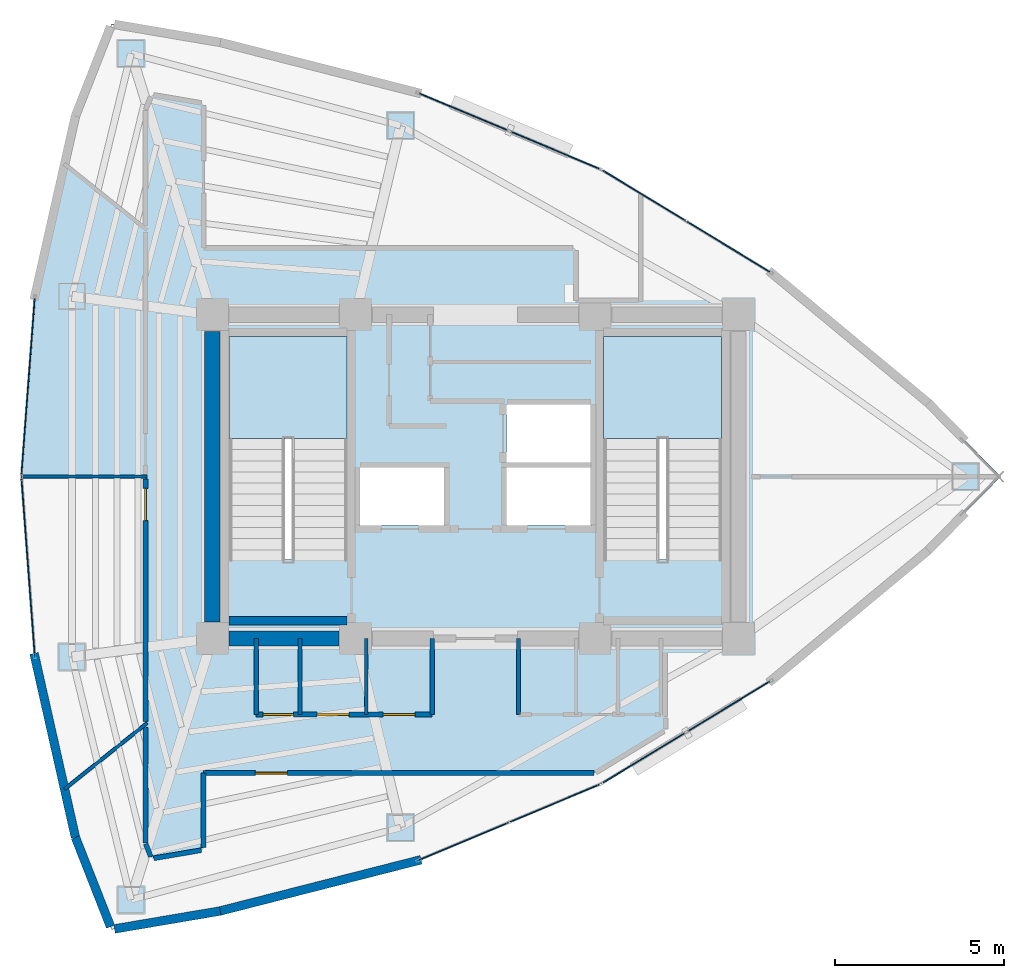
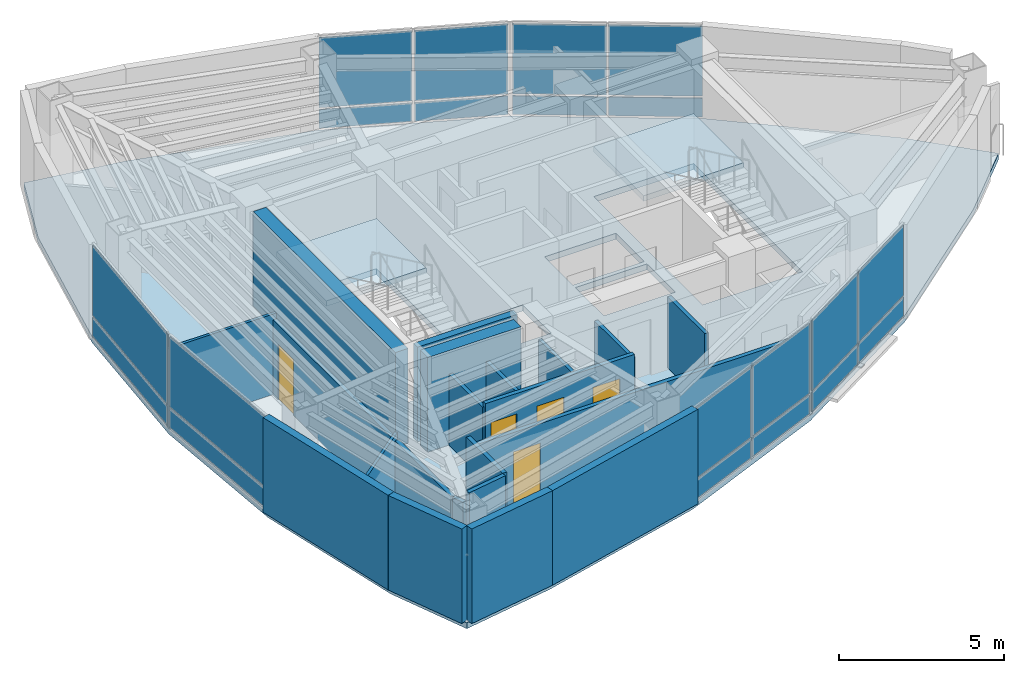
# One storey, part 11 of 15: 21 walls, 20 plates, 5 doors, 3 slabs, 5 openings, 8 elements without a shape of their own.
"""IFC4 building model written with IfcOpenShell, lengths in metres."""

import ifcopenshell
import ifcopenshell.guid

model = None  # the IFC model being written
_history = None  # IfcOwnerHistory: only IFC2X3 demands one
_inside = {}  # id of a spatial element -> (the spatial element, [elements in it])
_under = {}  # id of a project, library or spatial element -> (it, [spatial elements below it])
_declared = {}  # id of a project -> (the project, [libraries it declares])
_typed = {}  # id of a type object -> (the type object, [elements of that type])
_made_of = {}  # id of a material, layer set ... -> (it, [elements and type objects made of it])


def new_model(schema):
    """Start an empty IFC model of exactly this schema.

    Asked for "IFC4X3", IfcOpenShell would pick the latest addendum, in which some entities
    have other attributes; the version numbers below select the first issue.
    IFC2X3 requires an IfcOwnerHistory on every rooted entity: one is made here for all.
    """
    global model, _history
    if schema == "IFC4X3":
        model = ifcopenshell.file(schema_version=(4, 3, 0, 0))
    else:
        model = ifcopenshell.file(schema=schema)
    _inside.clear()
    _under.clear()
    _declared.clear()
    _typed.clear()
    _made_of.clear()
    _history = None
    if model.schema == "IFC2X3":
        org = make("IfcOrganization", Name="unknown")
        user = make(
            "IfcPersonAndOrganization",
            ThePerson=make("IfcPerson", FamilyName="unknown"),
            TheOrganization=org,
        )
        app = make(
            "IfcApplication",
            ApplicationDeveloper=org,
            Version="unknown",
            ApplicationFullName="unknown",
            ApplicationIdentifier="unknown",
        )
        _history = make(
            "IfcOwnerHistory",
            OwningUser=user,
            OwningApplication=app,
            ChangeAction="ADDED",
            CreationDate=0,
        )
    return model


def make(cls, **values):
    """One entity of the class cls with the attributes given. An attribute that is None is left unset."""
    return model.create_entity(
        cls, **{name: value for name, value in values.items() if value is not None}
    )


def rooted(cls, **values):
    """An entity with a GlobalId (a new one), such as an element, a storey or a relation."""
    return make(cls, GlobalId=ifcopenshell.guid.new(), OwnerHistory=_history, **values)


def si_unit(unit_type, name, prefix=None):
    """IfcSIUnit, for example si_unit("LENGTHUNIT", "METRE", prefix="MILLI")."""
    return make("IfcSIUnit", UnitType=unit_type, Prefix=prefix, Name=name)


def assignment(units):
    """IfcUnitAssignment: the units of a project."""
    return None if units is None else make("IfcUnitAssignment", Units=units)


def point(xyz):
    """IfcCartesianPoint."""
    return None if xyz is None else make("IfcCartesianPoint", Coordinates=xyz)


def direction(xyz):
    """IfcDirection."""
    return None if xyz is None else make("IfcDirection", DirectionRatios=xyz)


def frame(location, z_axis=None, x_axis=None):
    """IfcAxis2Placement3D, a coordinate frame: its origin and axes. An axis left out is left unset."""
    return make(
        "IfcAxis2Placement3D",
        Location=point(location),
        Axis=direction(z_axis),
        RefDirection=direction(x_axis),
    )


def frame_2d(location, x_axis=None):
    """IfcAxis2Placement2D, a coordinate frame in the plane: its origin and x axis."""
    return make(
        "IfcAxis2Placement2D", Location=point(location), RefDirection=direction(x_axis)
    )


def origin():
    """The frame at (0, 0, 0) with its axes left unset."""
    return frame((0.0, 0.0, 0.0))


def origin_2d():
    """The frame at (0, 0) in the plane with its x axis left unset."""
    return frame_2d((0.0, 0.0))


def place(relative_to, where):
    """IfcLocalPlacement: puts the frame where relative to a parent placement (None: the world)."""
    return make(
        "IfcLocalPlacement", PlacementRelTo=relative_to, RelativePlacement=where
    )


def context(
    kind, dimensions, precision=None, world=None, true_north=None, identifier=None
):
    """IfcGeometricRepresentationContext, for example the 3D "Model" context."""
    return make(
        "IfcGeometricRepresentationContext",
        ContextIdentifier=identifier,
        ContextType=kind,
        CoordinateSpaceDimension=dimensions,
        Precision=precision,
        WorldCoordinateSystem=world,
        TrueNorth=true_north,
    )


def subcontext(parent, identifier, kind, view, scale=None):
    """IfcGeometricRepresentationSubContext, for example "Body" below "Model"."""
    return make(
        "IfcGeometricRepresentationSubContext",
        ContextIdentifier=identifier,
        ContextType=kind,
        ParentContext=parent,
        TargetScale=scale,
        TargetView=view,
    )


def project(units=None, contexts=None):
    """IfcProject with its units and contexts."""
    return rooted(
        "IfcProject",
        Name="project",
        RepresentationContexts=contexts,
        UnitsInContext=assignment(units),
    )


def spatial(cls, under=None, at=None, **own):
    """A site, building, storey or space (cls), placed at a placement, below another one or the project."""
    s = rooted(cls, ObjectPlacement=at, **own)
    if under is not None:
        _under.setdefault(under.id(), (under, []))[1].append(s)
    return s


def polyline(points):
    """IfcPolyline through the points."""
    return make("IfcPolyline", Points=[point(p) for p in points])


def profile(cls, at=None, kind="AREA", **sizes):
    """A parametric profile (cls). Its sizes go by their IFC names, for example OverallWidth=200.0."""
    return make(cls, ProfileType=kind, Position=at, **sizes)


def rectangle(**sizes):
    """IfcRectangleProfileDef."""
    return profile("IfcRectangleProfileDef", **sizes)


def outline(outer, holes=None, kind="AREA"):
    """IfcArbitraryClosedProfileDef: a profile drawn as a closed curve; with holes, ...WithVoids."""
    if holes is None:
        return make("IfcArbitraryClosedProfileDef", ProfileType=kind, OuterCurve=outer)
    return make(
        "IfcArbitraryProfileDefWithVoids",
        ProfileType=kind,
        OuterCurve=outer,
        InnerCurves=holes,
    )


def extrude(swept, where, along, depth):
    """IfcExtrudedAreaSolid: the profile swept, set in the frame where, extruded along a direction by depth."""
    return make(
        "IfcExtrudedAreaSolid",
        SweptArea=swept,
        Position=where,
        ExtrudedDirection=direction(along),
        Depth=depth,
    )


def shape(context_of_items, identifier, shape_type, items):
    """IfcShapeRepresentation: the items that make up one representation, for example the "Body"."""
    return make(
        "IfcShapeRepresentation",
        ContextOfItems=context_of_items,
        RepresentationIdentifier=identifier,
        RepresentationType=shape_type,
        Items=items,
    )


def material(Name=None, Category=None):
    """IfcMaterial."""
    return make("IfcMaterial", Name=Name, Category=Category)


def layer(
    of_material, thickness, ventilated=None, Name=None, Category=None, Priority=None
):
    """IfcMaterialLayer: one layer of a wall or slab, of a material (None: an air gap)."""
    return make(
        "IfcMaterialLayer",
        Material=of_material,
        LayerThickness=thickness,
        IsVentilated=ventilated,
        Name=Name,
        Category=Category,
        Priority=Priority,
    )


def layer_set(layers, Name=None):
    """IfcMaterialLayerSet."""
    return make("IfcMaterialLayerSet", MaterialLayers=layers, LayerSetName=Name)


def made_of(thing, what):
    """Note that an element or type object is made of a material, layer set ...; save() writes the relation."""
    if what is not None:
        _made_of.setdefault(what.id(), (what, []))[1].append(thing)
    return thing


def type_object(cls, material=None, **own):
    """A type object (cls), such as IfcWallType, which elements share."""
    return made_of(rooted(cls, **own), material)


def element(
    cls,
    number,
    at=None,
    inside=None,
    cuts=None,
    type_object=None,
    material=None,
    context=None,
    identifier="Body",
    shape_type=None,
    held_by="IfcProductDefinitionShape",
    body=None,
    shapes=None,
    **own,
):
    """One element of the class cls, such as IfcWall. Its Tag is "e" and its number.

    at: its placement. inside: the storey or other place that contains it. cuts: it is an
    opening in that element (IfcRelVoidsElement). A single representation is given by context,
    identifier, shape_type and body (its items); several are given by shapes. held_by: the class
    of the entity that holds the representations. save() writes the other relations.
    """
    e = rooted(cls, Tag="e%d" % number, ObjectPlacement=at, **own)
    if body is not None:
        shapes = [shape(context, identifier, shape_type, body)]
    if shapes is not None:
        e.Representation = make(held_by, Representations=shapes)
    if inside is not None:
        _inside.setdefault(inside.id(), (inside, []))[1].append(e)
    if cuts is not None:
        rooted(
            "IfcRelVoidsElement", RelatingBuildingElement=cuts, RelatedOpeningElement=e
        )
    if type_object is not None:
        _typed.setdefault(type_object.id(), (type_object, []))[1].append(e)
    return made_of(e, material)


def fill(opening, filler):
    """IfcRelFillsElement: the door or window that sits in an opening."""
    return rooted(
        "IfcRelFillsElement",
        RelatingOpeningElement=opening,
        RelatedBuildingElement=filler,
    )


def aggregate(whole, parts):
    """IfcRelAggregates: a whole, such as a stair, and the parts it consists of."""
    return rooted("IfcRelAggregates", RelatingObject=whole, RelatedObjects=parts)


def save(model, path):
    """Write the relations noted so far, then the file.

    IfcRelAggregates (storeys below a building ...), IfcRelContainedInSpatialStructure (elements
    in a storey), IfcRelDefinesByType, IfcRelAssociatesMaterial and IfcRelDeclares: one each for
    every whole, place, type object, material and project.
    """
    for whole, parts in _under.values():
        aggregate(whole, parts)
    for where, things in _inside.values():
        rooted(
            "IfcRelContainedInSpatialStructure",
            RelatedElements=things,
            RelatingStructure=where,
        )
    for kind, things in _typed.values():
        rooted("IfcRelDefinesByType", RelatedObjects=things, RelatingType=kind)
    for what, things in _made_of.values():
        rooted("IfcRelAssociatesMaterial", RelatedObjects=things, RelatingMaterial=what)
    for by, libraries in _declared.values():
        rooted("IfcRelDeclares", RelatingContext=by, RelatedDefinitions=libraries)
    model.write(path)


model = new_model("IFC4")

# Units and contexts
model_context = context("Model", 3, precision=1e-05, world=origin(), true_north=direction((0.0, 1.0)))
body_context = subcontext(model_context, "Body", "Model", "MODEL_VIEW")
ifc_project = project(units=[si_unit("LENGTHUNIT", "METRE"), si_unit("AREAUNIT", "SQUARE_METRE"), si_unit("VOLUMEUNIT", "CUBIC_METRE"), si_unit("PLANEANGLEUNIT", "RADIAN"), si_unit("MASSUNIT", "GRAM", prefix="KILO")], contexts=[model_context])

# Site, building, storey
site_placement = place(None, origin())
site = spatial("IfcSite", under=ifc_project, at=site_placement, CompositionType="ELEMENT")
building_placement = place(site_placement, origin())
building = spatial("IfcBuilding", under=site, at=building_placement, Name="Menara Vayukalpa", CompositionType="ELEMENT")
storey_placement = place(building_placement, frame((0.0, 0.0, 258.300048828125)))
storey = spatial("IfcBuildingStorey", under=building, at=storey_placement, Name="L65", CompositionType="ELEMENT", Elevation=258.300048828125)

# Curtain wall, plates
ifc_material_1 = material(Name="Anodised Terracotta Aluminium Alloy 6063-T6", Category="masonry")
ifc_layer_1 = layer(ifc_material_1, 0.1650390625)
ifc_layer_set_1 = layer_set([ifc_layer_1], Name="Anodised Terracotta Aluminium Alloy 6063-T6")
curtain_wall_type = type_object("IfcCurtainWallType", Name="CW-CW6", PredefinedType="USERDEFINED", material=ifc_layer_set_1)
curtain_wall_1_placement = place(storey_placement, origin())
curtain_wall_1 = element("IfcCurtainWall", 1, at=curtain_wall_1_placement, inside=storey, type_object=curtain_wall_type, Name="L65 Observation and Executive Curtain Wall CW6 04", ObjectType="UNITISED", PredefinedType="USERDEFINED")
ifc_material_2 = material(Name="Low-E Double Glazing", Category="glass")
ifc_layer_2 = layer(ifc_material_2, 0.033935546875)
ifc_layer_set_2 = layer_set([ifc_layer_2], Name="Low-E Double Glazing")
plate_type = type_object("IfcPlateType", Name="CWP-CW6", PredefinedType="CURTAIN_PANEL", material=ifc_layer_set_2)
plate_1_placement = place(storey_placement, frame((33.102783203125, 28.814208984375, 0.074951171875), z_axis=(0.0, 0.0, 1.0), x_axis=(-0.854667609532, 0.519175574558, 0.0)))
plate_1 = element("IfcPlate", 2, at=plate_1_placement, type_object=plate_type, Name="CW6 panel 1.1", PredefinedType="CURTAIN_PANEL", context=body_context, shape_type="SweptSolid", body=[
    extrude(rectangle(XDim=2.8486328125, YDim=0.033935546875, at=origin_2d()), origin(), (0.0, 0.0, 1.0), 0.6875),
])
plate_2_placement = place(storey_placement, frame((33.102783203125, 28.814208984375, 0.83740234375), z_axis=(0.0, 0.0, 1.0), x_axis=(-0.854667609532, 0.519175574558, 0.0)))
plate_2 = element("IfcPlate", 3, at=plate_2_placement, type_object=plate_type, Name="CW6 panel 1.2", PredefinedType="CURTAIN_PANEL", context=body_context, shape_type="SweptSolid", body=[
    extrude(rectangle(XDim=2.8486328125, YDim=0.033935546875, at=origin_2d()), origin(), (0.0, 0.0, 1.0), 2.58740234375),
])
plate_3_placement = place(storey_placement, frame((30.608154296875, 30.329345703125, 0.074951171875), z_axis=(0.0, 0.0, 1.0), x_axis=(-0.854667609532, 0.519175574558, 0.0)))
plate_3 = element("IfcPlate", 4, at=plate_3_placement, type_object=plate_type, Name="CW6 panel 2.1", PredefinedType="CURTAIN_PANEL", context=body_context, shape_type="SweptSolid", body=[
    extrude(rectangle(XDim=2.8486328125, YDim=0.033935546875, at=origin_2d()), origin(), (0.0, 0.0, 1.0), 0.6875),
])
plate_4_placement = place(storey_placement, frame((30.608154296875, 30.329345703125, 0.83740234375), z_axis=(0.0, 0.0, 1.0), x_axis=(-0.854667609532, 0.519175574558, 0.0)))
plate_4 = element("IfcPlate", 5, at=plate_4_placement, type_object=plate_type, Name="CW6 panel 2.2", PredefinedType="CURTAIN_PANEL", context=body_context, shape_type="SweptSolid", body=[
    extrude(rectangle(XDim=2.8486328125, YDim=0.033935546875, at=origin_2d()), origin(), (0.0, 0.0, 1.0), 2.58740234375),
])
aggregate(curtain_wall_1, [plate_1, plate_2, plate_3, plate_4])

curtain_wall_2_placement = place(storey_placement, origin())
curtain_wall_2 = element("IfcCurtainWall", 6, at=curtain_wall_2_placement, inside=storey, type_object=curtain_wall_type, Name="L65 Observation and Executive Curtain Wall CW6 05", ObjectType="UNITISED", PredefinedType="USERDEFINED")
plate_5_placement = place(storey_placement, frame((27.952392578125, 31.681884765625, 0.074951171875), z_axis=(0.0, 0.0, 1.0), x_axis=(-0.922540653927, 0.385899911703, 0.0)))
plate_5 = element("IfcPlate", 7, at=plate_5_placement, type_object=plate_type, Name="CW6 panel 1.1", PredefinedType="CURTAIN_PANEL", context=body_context, shape_type="SweptSolid", body=[
    extrude(rectangle(XDim=2.8486328125, YDim=0.033935546875, at=origin_2d()), origin(), (0.0, 0.0, 1.0), 0.6875),
])
plate_6_placement = place(storey_placement, frame((27.952392578125, 31.681884765625, 0.83740234375), z_axis=(0.0, 0.0, 1.0), x_axis=(-0.922540653927, 0.385899911703, 0.0)))
plate_6 = element("IfcPlate", 8, at=plate_6_placement, type_object=plate_type, Name="CW6 panel 1.2", PredefinedType="CURTAIN_PANEL", context=body_context, shape_type="SweptSolid", body=[
    extrude(rectangle(XDim=2.8486328125, YDim=0.033935546875, at=origin_2d()), origin(), (0.0, 0.0, 1.0), 2.58740234375),
])
plate_7_placement = place(storey_placement, frame((25.259765625, 32.808349609375, 0.074951171875), z_axis=(0.0, 0.0, 1.0), x_axis=(-0.922540653927, 0.385899911703, 0.0)))
plate_7 = element("IfcPlate", 9, at=plate_7_placement, type_object=plate_type, Name="CW6 panel 2.1", PredefinedType="CURTAIN_PANEL", context=body_context, shape_type="SweptSolid", body=[
    extrude(rectangle(XDim=2.8486328125, YDim=0.033935546875, at=origin_2d()), origin(), (0.0, 0.0, 1.0), 0.6875),
])
plate_8_placement = place(storey_placement, frame((25.259765625, 32.808349609375, 0.83740234375), z_axis=(0.0, 0.0, 1.0), x_axis=(-0.922540653927, 0.385899911703, 0.0)))
plate_8 = element("IfcPlate", 10, at=plate_8_placement, type_object=plate_type, Name="CW6 panel 2.2", PredefinedType="CURTAIN_PANEL", context=body_context, shape_type="SweptSolid", body=[
    extrude(rectangle(XDim=2.8486328125, YDim=0.033935546875, at=origin_2d()), origin(), (0.0, 0.0, 1.0), 2.58740234375),
])
aggregate(curtain_wall_2, [plate_5, plate_6, plate_7, plate_8])

curtain_wall_3_placement = place(storey_placement, origin())
curtain_wall_3 = element("IfcCurtainWall", 11, at=curtain_wall_3_placement, inside=storey, type_object=curtain_wall_type, Name="L65 Observation and Executive Curtain Wall CW6 10", ObjectType="UNITISED", PredefinedType="USERDEFINED")
plate_9_placement = place(storey_placement, frame((12.33837890625, 24.67333984375, 0.074951171875), z_axis=(0.0, 0.0, 1.0), x_axis=(-0.074789484574, -0.997199344663, 0.0)))
plate_9 = element("IfcPlate", 12, at=plate_9_placement, type_object=plate_type, Name="CW6 panel 1.1", PredefinedType="CURTAIN_PANEL", context=body_context, shape_type="SweptSolid", body=[
    extrude(rectangle(XDim=5.2216796875, YDim=0.033935546875, at=origin_2d()), origin(), (0.0, 0.0, 1.0), 0.6875),
])
plate_10_placement = place(storey_placement, frame((12.33837890625, 24.67333984375, 0.83740234375), z_axis=(0.0, 0.0, 1.0), x_axis=(-0.074789484574, -0.997199344663, 0.0)))
plate_10 = element("IfcPlate", 13, at=plate_10_placement, type_object=plate_type, Name="CW6 panel 1.2", PredefinedType="CURTAIN_PANEL", context=body_context, shape_type="SweptSolid", body=[
    extrude(rectangle(XDim=5.2216796875, YDim=0.033935546875, at=origin_2d()), origin(), (0.0, 0.0, 1.0), 2.58740234375),
])
aggregate(curtain_wall_3, [plate_9, plate_10])

curtain_wall_4_placement = place(storey_placement, origin())
curtain_wall_4 = element("IfcCurtainWall", 14, at=curtain_wall_4_placement, inside=storey, type_object=curtain_wall_type, Name="L65 Observation and Executive Curtain Wall CW6 11", ObjectType="UNITISED", PredefinedType="USERDEFINED")
plate_11_placement = place(storey_placement, frame((12.33837890625, 19.32666015625, 0.074951171875), z_axis=(0.0, 0.0, 1.0), x_axis=(0.074789484574, -0.997199344663, 0.0)))
plate_11 = element("IfcPlate", 15, at=plate_11_placement, type_object=plate_type, Name="CW6 panel 1.1", PredefinedType="CURTAIN_PANEL", context=body_context, shape_type="SweptSolid", body=[
    extrude(rectangle(XDim=5.2216796875, YDim=0.033935546875, at=origin_2d()), origin(), (0.0, 0.0, 1.0), 0.6875),
])
plate_12_placement = place(storey_placement, frame((12.33837890625, 19.32666015625, 0.83740234375), z_axis=(0.0, 0.0, 1.0), x_axis=(0.074789484574, -0.997199344663, 0.0)))
plate_12 = element("IfcPlate", 16, at=plate_12_placement, type_object=plate_type, Name="CW6 panel 1.2", PredefinedType="CURTAIN_PANEL", context=body_context, shape_type="SweptSolid", body=[
    extrude(rectangle(XDim=5.2216796875, YDim=0.033935546875, at=origin_2d()), origin(), (0.0, 0.0, 1.0), 2.58740234375),
])
aggregate(curtain_wall_4, [plate_11, plate_12])

curtain_wall_5_placement = place(storey_placement, origin())
curtain_wall_5 = element("IfcCurtainWall", 17, at=curtain_wall_5_placement, inside=storey, type_object=curtain_wall_type, Name="L65 Observation and Executive Curtain Wall CW6 16", ObjectType="UNITISED", PredefinedType="USERDEFINED")
plate_13_placement = place(storey_placement, frame((25.259765625, 11.191650390625, 0.074951171875), z_axis=(0.0, 0.0, 1.0), x_axis=(0.922540653927, 0.385899911703, 0.0)))
plate_13 = element("IfcPlate", 18, at=plate_13_placement, type_object=plate_type, Name="CW6 panel 1.1", PredefinedType="CURTAIN_PANEL", context=body_context, shape_type="SweptSolid", body=[
    extrude(rectangle(XDim=2.8486328125, YDim=0.033935546875, at=origin_2d()), origin(), (0.0, 0.0, 1.0), 0.6875),
])
plate_14_placement = place(storey_placement, frame((25.259765625, 11.191650390625, 0.83740234375), z_axis=(0.0, 0.0, 1.0), x_axis=(0.922540653927, 0.385899911703, 0.0)))
plate_14 = element("IfcPlate", 19, at=plate_14_placement, type_object=plate_type, Name="CW6 panel 1.2", PredefinedType="CURTAIN_PANEL", context=body_context, shape_type="SweptSolid", body=[
    extrude(rectangle(XDim=2.8486328125, YDim=0.033935546875, at=origin_2d()), origin(), (0.0, 0.0, 1.0), 2.58740234375),
])
plate_15_placement = place(storey_placement, frame((27.952392578125, 12.318115234375, 0.074951171875), z_axis=(0.0, 0.0, 1.0), x_axis=(0.922540653927, 0.385899911703, 0.0)))
plate_15 = element("IfcPlate", 20, at=plate_15_placement, type_object=plate_type, Name="CW6 panel 2.1", PredefinedType="CURTAIN_PANEL", context=body_context, shape_type="SweptSolid", body=[
    extrude(rectangle(XDim=2.8486328125, YDim=0.033935546875, at=origin_2d()), origin(), (0.0, 0.0, 1.0), 0.6875),
])
plate_16_placement = place(storey_placement, frame((27.952392578125, 12.318115234375, 0.83740234375), z_axis=(0.0, 0.0, 1.0), x_axis=(0.922540653927, 0.385899911703, 0.0)))
plate_16 = element("IfcPlate", 21, at=plate_16_placement, type_object=plate_type, Name="CW6 panel 2.2", PredefinedType="CURTAIN_PANEL", context=body_context, shape_type="SweptSolid", body=[
    extrude(rectangle(XDim=2.8486328125, YDim=0.033935546875, at=origin_2d()), origin(), (0.0, 0.0, 1.0), 2.58740234375),
])
aggregate(curtain_wall_5, [plate_13, plate_14, plate_15, plate_16])

curtain_wall_6_placement = place(storey_placement, origin())
curtain_wall_6 = element("IfcCurtainWall", 22, at=curtain_wall_6_placement, inside=storey, type_object=curtain_wall_type, Name="L65 Observation and Executive Curtain Wall CW6 17", ObjectType="UNITISED", PredefinedType="USERDEFINED")
plate_17_placement = place(storey_placement, frame((30.608154296875, 13.670654296875, 0.074951171875), z_axis=(0.0, 0.0, 1.0), x_axis=(0.854667609532, 0.519175574558, 0.0)))
plate_17 = element("IfcPlate", 23, at=plate_17_placement, type_object=plate_type, Name="CW6 panel 1.1", PredefinedType="CURTAIN_PANEL", context=body_context, shape_type="SweptSolid", body=[
    extrude(rectangle(XDim=2.8486328125, YDim=0.033935546875, at=origin_2d()), origin(), (0.0, 0.0, 1.0), 0.6875),
])
plate_18_placement = place(storey_placement, frame((30.608154296875, 13.670654296875, 0.83740234375), z_axis=(0.0, 0.0, 1.0), x_axis=(0.854667609532, 0.519175574558, 0.0)))
plate_18 = element("IfcPlate", 24, at=plate_18_placement, type_object=plate_type, Name="CW6 panel 1.2", PredefinedType="CURTAIN_PANEL", context=body_context, shape_type="SweptSolid", body=[
    extrude(rectangle(XDim=2.8486328125, YDim=0.033935546875, at=origin_2d()), origin(), (0.0, 0.0, 1.0), 2.58740234375),
])
plate_19_placement = place(storey_placement, frame((33.102783203125, 15.185791015625, 0.074951171875), z_axis=(0.0, 0.0, 1.0), x_axis=(0.854667609532, 0.519175574558, 0.0)))
plate_19 = element("IfcPlate", 25, at=plate_19_placement, type_object=plate_type, Name="CW6 panel 2.1", PredefinedType="CURTAIN_PANEL", context=body_context, shape_type="SweptSolid", body=[
    extrude(rectangle(XDim=2.8486328125, YDim=0.033935546875, at=origin_2d()), origin(), (0.0, 0.0, 1.0), 0.6875),
])
plate_20_placement = place(storey_placement, frame((33.102783203125, 15.185791015625, 0.83740234375), z_axis=(0.0, 0.0, 1.0), x_axis=(0.854667609532, 0.519175574558, 0.0)))
plate_20 = element("IfcPlate", 26, at=plate_20_placement, type_object=plate_type, Name="CW6 panel 2.2", PredefinedType="CURTAIN_PANEL", context=body_context, shape_type="SweptSolid", body=[
    extrude(rectangle(XDim=2.8486328125, YDim=0.033935546875, at=origin_2d()), origin(), (0.0, 0.0, 1.0), 2.58740234375),
])
aggregate(curtain_wall_6, [plate_17, plate_18, plate_19, plate_20])

# Slab
ifc_material_3 = material(Name="Concrete C40/50", Category="concrete")
ifc_layer_3 = layer(ifc_material_3, 0.219970703125)
ifc_layer_set_3 = layer_set([ifc_layer_3], Name="Concrete C40/50")
slab_type_1 = type_object("IfcSlabType", Name="SLB-FL220", PredefinedType="FLOOR", material=ifc_layer_set_3)
slab_1_placement = place(storey_placement, frame((0.0, 0.0, -0.219970703125)))
element("IfcSlab", 27, at=slab_1_placement, inside=storey, type_object=slab_type_1, Name="L65 Structural Floor Slab", PredefinedType="FLOOR", context=body_context, shape_type="SweptSolid", body=[
    extrude(outline(polyline([(39.02783203125, 19.816162109375), (41.171875, 22.0), (39.02783203125, 24.183837890625), (34.3798828125, 28.038330078125), (29.3310546875, 31.105224609375), (23.881103515625, 33.385009765625), (18.0302734375, 34.877197265625), (14.814208984375, 35.423095703125), (13.741943359375, 32.693359375), (12.5390625, 27.3466796875), (12.137939453125, 22.0), (12.5390625, 16.6533203125), (13.741943359375, 11.306640625), (14.814208984375, 8.576904296875), (18.0302734375, 9.122802734375), (23.881103515625, 10.614990234375), (29.3310546875, 12.894775390625), (34.3798828125, 15.961669921875), (39.02783203125, 19.816162109375)]), holes=[polyline([(21.800048828125, 19.550048828125), (21.800048828125, 26.14990234375), (18.300048828125, 26.14990234375), (18.300048828125, 19.550048828125), (21.800048828125, 19.550048828125)]), polyline([(32.89990234375, 19.550048828125), (32.89990234375, 26.14990234375), (29.39990234375, 26.14990234375), (29.39990234375, 19.550048828125), (32.89990234375, 19.550048828125)]), polyline([(22.179931640625, 20.550048828125), (24.679931640625, 20.550048828125), (24.679931640625, 22.27001953125), (22.179931640625, 22.27001953125), (22.179931640625, 20.550048828125)]), polyline([(26.52001953125, 20.550048828125), (29.02001953125, 20.550048828125), (29.02001953125, 22.27001953125), (26.52001953125, 22.27001953125), (26.52001953125, 20.550048828125)]), polyline([(26.52001953125, 22.419921875), (29.02001953125, 22.419921875), (29.02001953125, 24.139892578125), (26.52001953125, 24.139892578125), (26.52001953125, 22.419921875)])]), origin(), (0.0, 0.0, 1.0), 0.219970703125),
])

# Stair, slab
ifc_material_4 = material(Name="Precast Concrete C40/50", Category="concrete")
stair_type = type_object("IfcStairType", Name="STR-T04", PredefinedType="DOUBLE_RETURN_STAIR", material=ifc_material_4)
stair_1_placement = place(storey_placement, origin())
stair_1 = element("IfcStair", 28, at=stair_1_placement, inside=storey, type_object=stair_type, Name="L65 Core Exit Stair ST-1", PredefinedType="DOUBLE_RETURN_STAIR")
ifc_material_5 = material(Name="Precast Concrete C40/50", Category="concrete")
ifc_layer_4 = layer(ifc_material_5, 0.199951171875)
ifc_layer_set_4 = layer_set([ifc_layer_4], Name="Precast Concrete C40/50")
slab_type_2 = type_object("IfcSlabType", Name="SLB-LND200", PredefinedType="LANDING", material=ifc_layer_set_4)
slab_2_placement = place(storey_placement, frame((0.0, 0.0, 1.659912109375)))
slab_2 = element("IfcSlab", 29, at=slab_2_placement, type_object=slab_type_2, Name="ST-1 landing 1", PredefinedType="LANDING", context=body_context, shape_type="SweptSolid", body=[
    extrude(outline(polyline([(21.800048828125, 23.1298828125), (21.800048828125, 26.14990234375), (18.300048828125, 26.14990234375), (18.300048828125, 23.1298828125), (21.800048828125, 23.1298828125)])), origin(), (0.0, 0.0, 1.0), 0.199951171875),
])
aggregate(stair_1, [slab_2])

stair_2_placement = place(storey_placement, origin())
stair_2 = element("IfcStair", 30, at=stair_2_placement, inside=storey, type_object=stair_type, Name="L65 Core Exit Stair ST-2", PredefinedType="DOUBLE_RETURN_STAIR")
slab_3_placement = place(storey_placement, frame((0.0, 0.0, 1.659912109375)))
slab_3 = element("IfcSlab", 31, at=slab_3_placement, type_object=slab_type_2, Name="ST-2 landing 1", PredefinedType="LANDING", context=body_context, shape_type="SweptSolid", body=[
    extrude(outline(polyline([(32.89990234375, 23.1298828125), (32.89990234375, 26.14990234375), (29.39990234375, 26.14990234375), (29.39990234375, 23.1298828125), (32.89990234375, 23.1298828125)])), origin(), (0.0, 0.0, 1.0), 0.199951171875),
])
aggregate(stair_2, [slab_3])

# Walls
ifc_material_6 = material(Name="Concrete C50/60", Category="concrete")
ifc_layer_5 = layer(ifc_material_6, 0.449951171875)
ifc_layer_set_5 = layer_set([ifc_layer_5], Name="Concrete C50/60")
wall_type_1 = type_object("IfcWallType", Name="WAL-CW450", PredefinedType="SHEAR", material=ifc_layer_set_5)
wall_1_placement = place(storey_placement, frame((18.294921875, 17.199951171875, 0.0), z_axis=(0.0, 0.0, 1.0), x_axis=(1.0, 0.0, 0.0)))
element("IfcWall", 32, at=wall_1_placement, inside=storey, type_object=wall_type_1, Name="L65 Buttressed Core Shear Wall CWS1", PredefinedType="SHEAR", context=body_context, shape_type="SweptSolid", body=[
    extrude(rectangle(XDim=3.260009765625, YDim=0.449951171875, at=frame_2d((1.6298828125, 0.0))), origin(), (0.0, 0.0, 1.0), 3.5),
])
wall_2_placement = place(storey_placement, frame((17.800048828125, 17.695068359375, 0.0), z_axis=(0.0, 0.0, 1.0), x_axis=(0.0, 1.0, 0.0)))
element("IfcWall", 33, at=wall_2_placement, inside=storey, type_object=wall_type_1, Name="L65 Buttressed Core Shear Wall CWW1", PredefinedType="SHEAR", context=body_context, shape_type="SweptSolid", body=[
    extrude(rectangle(XDim=8.60986328125, YDim=0.449951171875, at=frame_2d((4.304931640625, 0.0))), origin(), (0.0, 0.0, 1.0), 3.5),
])
ifc_material_7 = material(Name="Insulated Precast Concrete C40/50", Category="concrete")
ifc_layer_6 = layer(ifc_material_7, 0.260009765625)
ifc_layer_set_6 = layer_set([ifc_layer_6], Name="Insulated Precast Concrete C40/50")
wall_type_2 = type_object("IfcWallType", Name="WAL-EXT260", PredefinedType="PARTITIONING", material=ifc_layer_set_6)
wall_3_placement = place(storey_placement, frame((13.741943359375, 11.306640625, 0.0), z_axis=(0.0, 0.0, 1.0), x_axis=(-0.219500763731, 0.97561232809, 0.0)))
element("IfcWall", 34, at=wall_3_placement, inside=storey, type_object=wall_type_2, Name="L65 Perimeter Terracotta Pier Wall 12", PredefinedType="PARTITIONING", context=body_context, shape_type="SweptSolid", body=[
    extrude(rectangle(XDim=5.590087890625, YDim=0.260009765625, at=frame_2d((2.794921875, 0.0))), origin(), (0.0, 0.0, 1.0), 3.5),
])
wall_4_placement = place(storey_placement, frame((14.7822265625, 8.658203125, 0.0), z_axis=(0.0, 0.0, 1.0), x_axis=(-0.36559927932, 0.930772349697, 0.0)))
element("IfcWall", 35, at=wall_4_placement, inside=storey, type_object=wall_type_2, Name="L65 Perimeter Terracotta Pier Wall 13", PredefinedType="PARTITIONING", context=body_context, shape_type="SweptSolid", body=[
    extrude(rectangle(XDim=2.845458984375, YDim=0.260009765625, at=frame_2d((1.4228515625, 0.0))), origin(), (0.0, 0.0, 1.0), 3.5),
])
wall_5_placement = place(storey_placement, frame((18.0361328125, 9.123779296875, 0.0), z_axis=(0.0, 0.0, 1.0), x_axis=(-0.985889432766, -0.167397808709, 0.0)))
element("IfcWall", 36, at=wall_5_placement, inside=storey, type_object=wall_type_2, Name="L65 Perimeter Terracotta Pier Wall 14", PredefinedType="PARTITIONING", context=body_context, shape_type="SweptSolid", body=[
    extrude(rectangle(XDim=3.180908203125, YDim=0.260009765625, at=frame_2d((1.59033203125, 0.0))), origin(), (0.0, 0.0, 1.0), 3.5),
])
wall_6_placement = place(storey_placement, frame((23.98779296875, 10.64208984375, 0.0), z_axis=(0.0, 0.0, 1.0), x_axis=(-0.968988278672, -0.247106689096, 0.0)))
element("IfcWall", 37, at=wall_6_placement, inside=storey, type_object=wall_type_2, Name="L65 Perimeter Terracotta Pier Wall 15", PredefinedType="PARTITIONING", context=body_context, shape_type="SweptSolid", body=[
    extrude(rectangle(XDim=6.154296875, YDim=0.260009765625, at=frame_2d((3.0771484375, 0.0))), origin(), (0.0, 0.0, 1.0), 3.5),
])
ifc_material_8 = material(Name="Glazed Demountable Office Partition", Category="glass")
ifc_layer_7 = layer(ifc_material_8, 0.094970703125)
ifc_layer_set_7 = layer_set([ifc_layer_7], Name="Glazed Demountable Office Partition")
wall_type_3 = type_object("IfcWallType", Name="WAL-PT100", PredefinedType="PARTITIONING", material=ifc_layer_set_7)
wall_7_placement = place(storey_placement, frame((12.1279296875, 22.0, 0.0), z_axis=(0.0, 0.0, 1.0), x_axis=(1.0, 0.0, 0.0)))
element("IfcWall", 38, at=wall_7_placement, inside=storey, type_object=wall_type_3, Name="L65 Interior Partition IW-L65-RDIV02", PredefinedType="PARTITIONING", context=body_context, shape_type="SweptSolid", body=[
    extrude(rectangle(XDim=3.7421875, YDim=0.094970703125, at=frame_2d((1.87109375, 0.0))), origin(), (0.0, 0.0, 1.0), 2.97998046875),
])
wall_8_placement = place(storey_placement, frame((13.41162109375, 12.729248046875, 0.0), z_axis=(0.0, 0.0, 1.0), x_axis=(0.780868809443, 0.624695047554, 0.0)))
element("IfcWall", 39, at=wall_8_placement, inside=storey, type_object=wall_type_3, Name="L65 Interior Partition IW-L65-RDIV04", PredefinedType="PARTITIONING", context=body_context, shape_type="SweptSolid", body=[
    extrude(rectangle(XDim=3.1484375, YDim=0.094970703125, at=frame_2d((1.57421875, 0.0))), origin(), (0.0, 0.0, 1.0), 2.97998046875),
])
ifc_material_9 = material(Name="Acoustic Mineral Stud Partition", Category="masonry")
ifc_layer_8 = layer(ifc_material_9, 0.110107421875)
ifc_layer_set_8 = layer_set([ifc_layer_8], Name="Acoustic Mineral Stud Partition")
wall_type_4 = type_object("IfcWallType", Name="WAL-PT110", PredefinedType="PARTITIONING", material=ifc_layer_set_8)
wall_9_placement = place(storey_placement, frame((22.360107421875, 14.949951171875, 0.0), z_axis=(0.0, 0.0, 1.0), x_axis=(0.0, 1.0, 0.0)))
element("IfcWall", 40, at=wall_9_placement, inside=storey, type_object=wall_type_4, Name="L65 Interior Partition IW-L65-SVCD-03", PredefinedType="PARTITIONING", context=body_context, shape_type="SweptSolid", body=[
    extrude(rectangle(XDim=2.25, YDim=0.110107421875, at=frame_2d((1.125, 0.0))), origin(), (0.0, 0.0, 1.0), 2.6298828125),
])
ifc_material_10 = material(Name="Gypsum Drywall Steel Stud Assembly", Category="steel")
ifc_layer_9 = layer(ifc_material_10, 0.125)
ifc_layer_set_9 = layer_set([ifc_layer_9], Name="Gypsum Drywall Steel Stud Assembly")
wall_type_5 = type_object("IfcWallType", Name="WAL-PT125", PredefinedType="PARTITIONING", material=ifc_layer_set_9)
for number, where, z_axis, x_axis, name in (
    (41, (19.10009765625, 14.949951171875, 0.0), (0.0, 0.0, 1.0), (0.0, 1.0, 0.0), "L65 Interior Partition IW-L65-SVCD-01"),
    (42, (20.39990234375, 14.949951171875, 0.0), (0.0, 0.0, 1.0), (0.0, 1.0, 0.0), "L65 Interior Partition IW-L65-SVCD-02"),
    (43, (24.320068359375, 14.949951171875, 0.0), (0.0, 0.0, 1.0), (0.0, 1.0, 0.0), "L65 Interior Partition IW-L65-SVCD-04"),
    (44, (26.8798828125, 14.949951171875, 0.0), (0.0, 0.0, 1.0), (0.0, 1.0, 0.0), "L65 Interior Partition IW-L65-SVCD-05"),
):
    element("IfcWall", number, at=place(storey_placement, frame(where, z_axis=z_axis, x_axis=x_axis)), inside=storey, type_object=wall_type_5, Name=name, PredefinedType="PARTITIONING", context=body_context, shape_type="SweptSolid", body=[
        extrude(rectangle(XDim=2.25, YDim=0.125, at=frame_2d((1.125, 0.0))), origin(), (0.0, 0.0, 1.0), 2.6298828125),
    ])

# Wall, openings, doors
ifc_material_11 = material(Name="Gypsum Drywall Acoustic Stud Assembly", Category="masonry")
ifc_layer_10 = layer(ifc_material_11, 0.14501953125)
ifc_layer_set_10 = layer_set([ifc_layer_10], Name="Gypsum Drywall Acoustic Stud Assembly")
wall_type_6 = type_object("IfcWallType", Name="WAL-PT150", PredefinedType="PARTITIONING", material=ifc_layer_set_10)
wall_10_placement = place(storey_placement, frame((19.10009765625, 14.949951171875, 0.0), z_axis=(0.0, 0.0, 1.0), x_axis=(1.0, 0.0, 0.0)))
wall_10 = element("IfcWall", 45, at=wall_10_placement, inside=storey, type_object=wall_type_6, Name="L65 Interior Partition IW-L65-SVCS-W", PredefinedType="PARTITIONING", context=body_context, shape_type="SweptSolid", body=[
    extrude(rectangle(XDim=5.219970703125, YDim=0.14501953125, at=frame_2d((2.60986328125, 0.0))), origin(), (0.0, 0.0, 1.0), 2.780029296875),
])
opening_1_placement = place(wall_10_placement, frame((0.199951171875, 0.0, 0.0)))
opening_1 = element("IfcOpeningElement", 46, at=opening_1_placement, cuts=wall_10, Name="Opening ID7", PredefinedType="OPENING", context=body_context, shape_type="SweptSolid", body=[
    extrude(rectangle(XDim=0.89990234375, YDim=2.02001953125, at=frame_2d((0.449951171875, 1.010009765625))), frame((0.0, 0.08251953125, 0.0), z_axis=(0.0, -1.0, 0.0), x_axis=(1.0, 0.0, 0.0)), (0.0, 0.0, 1.0), 0.1650390625),
])
opening_2_placement = place(wall_10_placement, frame((1.804931640625, 0.0, 0.0)))
opening_2 = element("IfcOpeningElement", 47, at=opening_2_placement, cuts=wall_10, Name="Opening ID5", PredefinedType="OPENING", context=body_context, shape_type="SweptSolid", body=[
    extrude(rectangle(XDim=0.949951171875, YDim=2.06005859375, at=frame_2d((0.47509765625, 1.030029296875))), frame((0.0, 0.08251953125, 0.0), z_axis=(0.0, -1.0, 0.0), x_axis=(1.0, 0.0, 0.0)), (0.0, 0.0, 1.0), 0.1650390625),
])
opening_3_placement = place(wall_10_placement, frame((3.764892578125, 0.0, 0.0)))
opening_3 = element("IfcOpeningElement", 48, at=opening_3_placement, cuts=wall_10, Name="Opening ID5", PredefinedType="OPENING", context=body_context, shape_type="SweptSolid", body=[
    extrude(rectangle(XDim=0.949951171875, YDim=2.06005859375, at=frame_2d((0.47509765625, 1.030029296875))), frame((0.0, 0.08251953125, 0.0), z_axis=(0.0, -1.0, 0.0), x_axis=(1.0, 0.0, 0.0)), (0.0, 0.0, 1.0), 0.1650390625),
])
ifc_material_12 = material(Name="Acoustic Hardwood Veneer Timber Door", Category="wood")
door_type_1 = type_object("IfcDoorType", Name="DR-INT95", OperationType="NOTDEFINED", PredefinedType="DOOR", material=ifc_material_12)
door_1_placement = place(opening_2_placement, origin())
door_1 = element("IfcDoor", 49, at=door_1_placement, inside=storey, type_object=door_type_1, Name="L65 Interior Door DR-L65-AWC", OperationType="SINGLE_SWING_RIGHT", OverallHeight=2.06005859375, OverallWidth=0.949951171875, PredefinedType="DOOR", context=body_context, shape_type="SweptSolid", body=[
    extrude(rectangle(XDim=0.949951171875, YDim=2.06005859375, at=frame_2d((0.47509765625, 1.030029296875))), frame((0.0, 0.02490234375, 0.0), z_axis=(0.0, -1.0, 0.0), x_axis=(1.0, 0.0, 0.0)), (0.0, 0.0, 1.0), 0.050048828125),
])
fill(opening_2, door_1)
door_2_placement = place(opening_3_placement, origin())
door_2 = element("IfcDoor", 50, at=door_2_placement, inside=storey, type_object=door_type_1, Name="L65 Interior Door DR-L65-SWC", OperationType="SINGLE_SWING_LEFT", OverallHeight=2.06005859375, OverallWidth=0.949951171875, PredefinedType="DOOR", context=body_context, shape_type="SweptSolid", body=[
    extrude(rectangle(XDim=0.949951171875, YDim=2.06005859375, at=frame_2d((0.47509765625, 1.030029296875))), frame((0.0, 0.02490234375, 0.0), z_axis=(0.0, -1.0, 0.0), x_axis=(1.0, 0.0, 0.0)), (0.0, 0.0, 1.0), 0.050048828125),
])
fill(opening_3, door_2)
ifc_material_13 = material(Name="Powder-Coated Steel Riser Access Door", Category="steel")
door_type_2 = type_object("IfcDoorType", Name="DR-RISER", OperationType="NOTDEFINED", PredefinedType="DOOR", material=ifc_material_13)
door_3_placement = place(opening_1_placement, origin())
door_3 = element("IfcDoor", 51, at=door_3_placement, inside=storey, type_object=door_type_2, Name="L65 Interior Door DR-L65-ELR", OperationType="SINGLE_SWING_LEFT", OverallHeight=2.02001953125, OverallWidth=0.89990234375, PredefinedType="DOOR", context=body_context, shape_type="SweptSolid", body=[
    extrude(rectangle(XDim=0.89990234375, YDim=2.02001953125, at=frame_2d((0.449951171875, 1.010009765625))), frame((0.0, 0.02490234375, 0.0), z_axis=(0.0, -1.0, 0.0), x_axis=(1.0, 0.0, 0.0)), (0.0, 0.0, 1.0), 0.050048828125),
])
fill(opening_1, door_3)

# Wall, opening, door
wall_11_placement = place(storey_placement, frame((15.820068359375, 21.929931640625, 0.0), z_axis=(0.0, 0.0, 1.0), x_axis=(0.0, -1.0, 0.0)))
wall_11 = element("IfcWall", 52, at=wall_11_placement, inside=storey, type_object=wall_type_6, Name="L65 Interior Partition IW-L65-CRM01-1", PredefinedType="PARTITIONING", context=body_context, shape_type="SweptSolid", body=[
    extrude(rectangle(XDim=7.184326171875, YDim=0.14501953125, at=frame_2d((3.59228515625, 0.0))), origin(), (0.0, 0.0, 1.0), 2.780029296875),
])
opening_4_placement = place(wall_11_placement, frame((0.280029296875, 0.0, 0.0)))
opening_4 = element("IfcOpeningElement", 53, at=opening_4_placement, cuts=wall_11, Name="Opening ID5", PredefinedType="OPENING", context=body_context, shape_type="SweptSolid", body=[
    extrude(rectangle(XDim=0.949951171875, YDim=2.06005859375, at=frame_2d((0.47509765625, 1.030029296875))), frame((0.0, 0.08251953125, 0.0), z_axis=(0.0, -1.0, 0.0), x_axis=(1.0, 0.0, 0.0)), (0.0, 0.0, 1.0), 0.1650390625),
])
door_4_placement = place(opening_4_placement, origin())
door_4 = element("IfcDoor", 54, at=door_4_placement, inside=storey, type_object=door_type_1, Name="L65 Interior Door DR-L65-RM01", OperationType="SINGLE_SWING_LEFT", OverallHeight=2.06005859375, OverallWidth=0.949951171875, PredefinedType="DOOR", context=body_context, shape_type="SweptSolid", body=[
    extrude(rectangle(XDim=0.949951171875, YDim=2.06005859375, at=frame_2d((0.47509765625, 1.030029296875))), frame((0.0, 0.02490234375, 0.0), z_axis=(0.0, -1.0, 0.0), x_axis=(1.0, 0.0, 0.0)), (0.0, 0.0, 1.0), 0.050048828125),
])
fill(opening_4, door_4)

# Walls
wall_12_placement = place(storey_placement, frame((15.820068359375, 14.56640625, 0.0), z_axis=(0.0, 0.0, 1.0), x_axis=(0.0, -1.0, 0.0)))
element("IfcWall", 55, at=wall_12_placement, inside=storey, type_object=wall_type_6, Name="L65 Interior Partition IW-L65-CRM03-1", PredefinedType="PARTITIONING", context=body_context, shape_type="SweptSolid", body=[
    extrude(rectangle(XDim=3.420166015625, YDim=0.14501953125, at=frame_2d((1.7099609375, 0.0))), origin(), (0.0, 0.0, 1.0), 2.780029296875),
])
wall_13_placement = place(storey_placement, frame((15.825439453125, 11.116943359375, 0.0), z_axis=(0.0, 0.0, 1.0), x_axis=(0.365633948196, -0.930758731319, 0.0)))
element("IfcWall", 56, at=wall_13_placement, inside=storey, type_object=wall_type_6, Name="L65 Interior Partition IW-L65-CRM03-2", PredefinedType="PARTITIONING", context=body_context, shape_type="SweptSolid", body=[
    extrude(rectangle(XDim=0.409912109375, YDim=0.14501953125, at=frame_2d((0.205078125, 0.0))), origin(), (0.0, 0.0, 1.0), 2.780029296875),
])
wall_14_placement = place(storey_placement, frame((16.063232421875, 10.685546875, 0.0), z_axis=(0.0, 0.0, 1.0), x_axis=(0.985881780308, 0.167442871621, 0.0)))
element("IfcWall", 57, at=wall_14_placement, inside=storey, type_object=wall_type_6, Name="L65 Interior Partition IW-L65-CRM03-3", PredefinedType="PARTITIONING", context=body_context, shape_type="SweptSolid", body=[
    extrude(rectangle(XDim=1.430419921875, YDim=0.14501953125, at=frame_2d((0.71533203125, 0.0))), origin(), (0.0, 0.0, 1.0), 3.1298828125),
])
wall_15_placement = place(storey_placement, frame((17.5400390625, 11.00390625, 0.0), z_axis=(0.0, 0.0, 1.0), x_axis=(0.0, 1.0, 0.0)))
element("IfcWall", 58, at=wall_15_placement, inside=storey, type_object=wall_type_6, Name="L65 Interior Partition IW-L65-CRM03-4", PredefinedType="PARTITIONING", context=body_context, shape_type="SweptSolid", body=[
    extrude(rectangle(XDim=2.2060546875, YDim=0.14501953125, at=frame_2d((1.10302734375, 0.0))), origin(), (0.0, 0.0, 1.0), 3.1298828125),
])

# Wall, opening, door
wall_16_placement = place(storey_placement, frame((17.5400390625, 13.2099609375, 0.0), z_axis=(0.0, 0.0, 1.0), x_axis=(1.0, 0.0, 0.0)))
wall_16 = element("IfcWall", 59, at=wall_16_placement, inside=storey, type_object=wall_type_6, Name="L65 Interior Partition IW-L65-CRM03-5", PredefinedType="PARTITIONING", context=body_context, shape_type="SweptSolid", body=[
    extrude(rectangle(XDim=11.56982421875, YDim=0.14501953125, at=frame_2d((5.784912109375, 0.0))), origin(), (0.0, 0.0, 1.0), 2.780029296875),
])
opening_5_placement = place(wall_16_placement, frame((1.53759765625, 0.0, 0.0)))
opening_5 = element("IfcOpeningElement", 60, at=opening_5_placement, cuts=wall_16, Name="Opening ID5", PredefinedType="OPENING", context=body_context, shape_type="SweptSolid", body=[
    extrude(rectangle(XDim=0.949951171875, YDim=2.06005859375, at=frame_2d((0.47509765625, 1.030029296875))), frame((0.0, 0.08251953125, 0.0), z_axis=(0.0, -1.0, 0.0), x_axis=(1.0, 0.0, 0.0)), (0.0, 0.0, 1.0), 0.1650390625),
])
door_5_placement = place(opening_5_placement, origin())
door_5 = element("IfcDoor", 61, at=door_5_placement, inside=storey, type_object=door_type_1, Name="L65 Interior Door DR-L65-RM03", OperationType="SINGLE_SWING_RIGHT", OverallHeight=2.06005859375, OverallWidth=0.949951171875, PredefinedType="DOOR", context=body_context, shape_type="SweptSolid", body=[
    extrude(rectangle(XDim=0.949951171875, YDim=2.06005859375, at=frame_2d((0.47509765625, 1.030029296875))), frame((0.0, 0.02490234375, 0.0), z_axis=(0.0, -1.0, 0.0), x_axis=(1.0, 0.0, 0.0)), (0.0, 0.0, 1.0), 0.050048828125),
])
fill(opening_5, door_5)

# Wall
ifc_material_14 = material(Name="Concrete C50/60", Category="concrete")
ifc_layer_11 = layer(ifc_material_14, 0.25)
ifc_layer_set_11 = layer_set([ifc_layer_11], Name="Concrete C50/60")
wall_type_7 = type_object("IfcWallType", Name="WAL-SW250", PredefinedType="SHEAR", material=ifc_layer_set_11)
wall_17_placement = place(storey_placement, frame((18.300048828125, 17.72509765625, 0.0), z_axis=(0.0, 0.0, 1.0), x_axis=(1.0, 0.0, 0.0)))
element("IfcWall", 62, at=wall_17_placement, inside=storey, type_object=wall_type_7, Name="L65 ST1 Structural Stair Shaft Wall S", PredefinedType="SHEAR", context=body_context, shape_type="SweptSolid", body=[
    extrude(rectangle(XDim=3.5, YDim=0.25, at=frame_2d((1.75, 0.0))), origin(), (0.0, 0.0, 1.0), 3.5),
])

save(model, "model.ifc")
